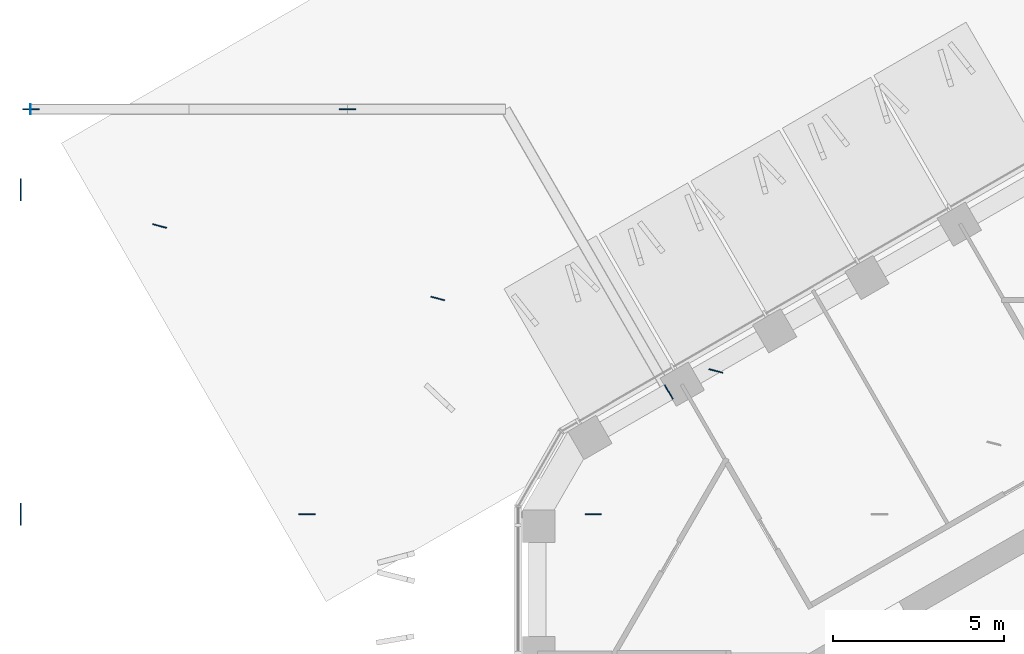
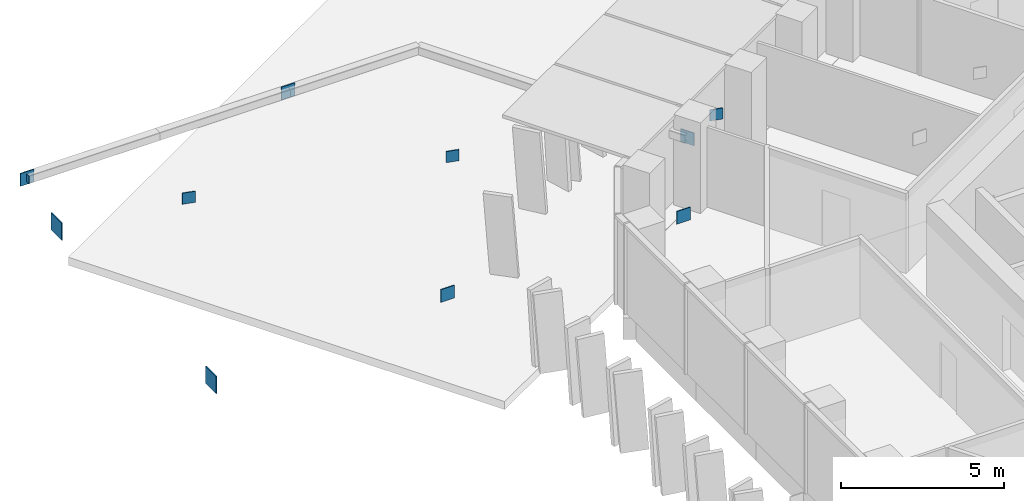
# One storey, part 17 of 23: 11 discrete accessories.
"""IFC4 building model written with IfcOpenShell, lengths in metres."""

from ifc_helpers import new_model, si_unit, direction, frame, origin, origin_2d, place, context, subcontext, project, spatial, rectangle, extrude, material, layer, layer_set, type_object, element, save


model = new_model("IFC4")

# Units and contexts
model_context = context("Model", 3, precision=1e-05, world=origin(), true_north=direction((0.0, 1.0)))
body_context = subcontext(model_context, "Body", "Model", "MODEL_VIEW")
ifc_project = project(units=[si_unit("LENGTHUNIT", "METRE"), si_unit("AREAUNIT", "SQUARE_METRE"), si_unit("VOLUMEUNIT", "CUBIC_METRE"), si_unit("PLANEANGLEUNIT", "RADIAN"), si_unit("MASSUNIT", "GRAM", prefix="KILO")], contexts=[model_context])

# Site, building, storey
site_placement = place(None, origin())
site = spatial("IfcSite", under=ifc_project, at=site_placement, CompositionType="ELEMENT")
building_placement = place(site_placement, origin())
building = spatial("IfcBuilding", under=site, at=building_placement, Name="Ayvan Gate Tower", CompositionType="ELEMENT")
storey_placement = place(building_placement, frame((0.0, 0.0, 198.699951171875)))
storey = spatial("IfcBuildingStorey", under=building, at=storey_placement, Name="L53", CompositionType="ELEMENT", Elevation=198.699951171875)

# Discrete accessories
ifc_material = material(Name="Steel S460ML", Category="steel")
ifc_layer_1 = layer(ifc_material, 0.030029296875)
ifc_layer_set_1 = layer_set([ifc_layer_1], Name="Steel S460ML")
discrete_accessory_type_1 = type_object("IfcDiscreteAccessoryType", Name="Gusset plate 30 mm", PredefinedType="BRACKET", material=ifc_layer_set_1)
for number, where, z_axis, x_axis, name in (
    (1, (-12.167236328125, 13.794921875, 2.491943359375), (0.0, 0.0, 1.0), (-0.967682328412, 0.252172384053, 0.0), "Gusset plate SBT5-1-D-3"),
    (2, (-20.31005859375, 15.9169921875, 2.491943359375), (0.0, 0.0, 1.0), (-0.967682328412, 0.252172384053, 0.0), "Gusset plate SBT5-1-D-5"),
    (3, (-28.452880859375, 18.0390625, 2.491943359375), (0.0, 0.0, 1.0), (-0.967682328412, 0.252172384053, 0.0), "Gusset plate SBT5-1-D-7"),
):
    element("IfcDiscreteAccessory", number, at=place(storey_placement, frame(where, z_axis=z_axis, x_axis=x_axis)), inside=storey, type_object=discrete_accessory_type_1, Name=name, PredefinedType="BRACKET", context=body_context, shape_type="SweptSolid", body=[
        extrude(rectangle(XDim=0.416015625, YDim=0.030029296875, at=origin_2d()), origin(), (0.0, 0.0, 1.0), 0.416015625),
    ])
for number, where, z_axis, x_axis, name in (
    (4, (-15.75634765625, 9.60009765625, 2.4599609375), (0.0, 0.0, 1.0), (1.0, 0.0, 0.0), "Gusset plate SBT5-2-D-3"),
    (5, (-24.140380859375, 9.60009765625, 2.4599609375), (0.0, 0.0, 1.0), (1.0, 0.0, 0.0), "Gusset plate SBT5-2-D-5"),
    (6, (-13.546142578125, 13.17919921875, 2.4599609375), (0.0, 0.0, 1.0), (-0.5, 0.866025403784, 0.0), "Gusset plate SBX5-B-D-1"),
    (7, (-22.95751953125, 21.455078125, 2.4599609375), (0.0, 0.0, 1.0), (1.0, 0.0, 0.0), "Gusset plate SBX5-B-D-2"),
    (8, (-32.224365234375, 21.455078125, 2.4599609375), (0.0, 0.0, 1.0), (1.0, 0.0, 0.0), "Gusset plate SBX5-B-D-4"),
):
    element("IfcDiscreteAccessory", number, at=place(storey_placement, frame(where, z_axis=z_axis, x_axis=x_axis)), inside=storey, type_object=discrete_accessory_type_1, Name=name, PredefinedType="BRACKET", context=body_context, shape_type="SweptSolid", body=[
        extrude(rectangle(XDim=0.47998046875, YDim=0.030029296875, at=origin_2d()), origin(), (0.0, 0.0, 1.0), 0.47998046875),
    ])
ifc_layer_2 = layer(ifc_material, 0.034912109375)
ifc_layer_set_2 = layer_set([ifc_layer_2], Name="Steel S460ML")
discrete_accessory_type_2 = type_object("IfcDiscreteAccessoryType", Name="Gusset plate 35 mm", PredefinedType="BRACKET", material=ifc_layer_set_2)
for number, where, z_axis, x_axis, name in (
    (9, (-32.5244140625, 19.10009765625, 2.0751953125), (0.0, 0.0, 1.0), (0.0, 1.0, 0.0), "Gusset plate EXO-B5-D1A"),
    (10, (-32.5244140625, 9.60009765625, 2.0751953125), (0.0, 0.0, 1.0), (0.0, 1.0, 0.0), "Gusset plate EXO-B5-D1B"),
):
    element("IfcDiscreteAccessory", number, at=place(storey_placement, frame(where, z_axis=z_axis, x_axis=x_axis)), inside=storey, type_object=discrete_accessory_type_2, Name=name, PredefinedType="BRACKET", context=body_context, shape_type="SweptSolid", body=[
        extrude(rectangle(XDim=0.650146484375, YDim=0.034912109375, at=origin_2d()), origin(), (0.0, 0.0, 1.0), 0.650146484375),
    ])
ifc_layer_3 = layer(ifc_material, 0.02001953125)
ifc_layer_set_3 = layer_set([ifc_layer_3], Name="Steel S460ML")
discrete_accessory_type_3 = type_object("IfcDiscreteAccessoryType", Name="Sky bar end cap plate", PredefinedType="BRACKET", material=ifc_layer_set_3)
discrete_accessory_placement = place(storey_placement, frame((-32.234375, 21.455078125, 2.5498046875), z_axis=(0.0, 0.0, 1.0), x_axis=(-1.0, 0.0, 0.0)))
element("IfcDiscreteAccessory", 11, at=discrete_accessory_placement, inside=storey, type_object=discrete_accessory_type_3, Name="End cap SBX5-B-BC-4:EC", PredefinedType="BRACKET", context=body_context, shape_type="SweptSolid", body=[
    extrude(rectangle(XDim=0.02001953125, YDim=0.300048828125, at=origin_2d()), origin(), (0.0, 0.0, 1.0), 0.300048828125),
])

save(model, "model.ifc")
